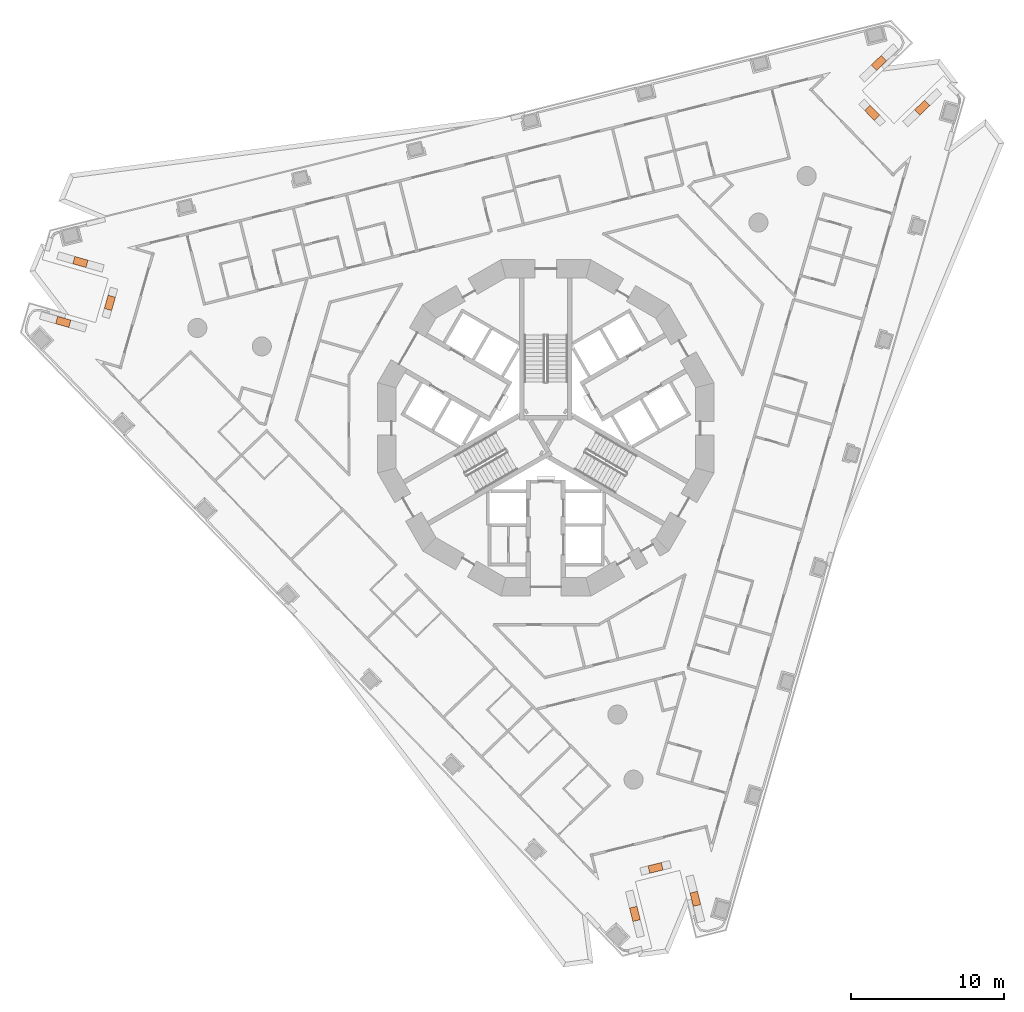
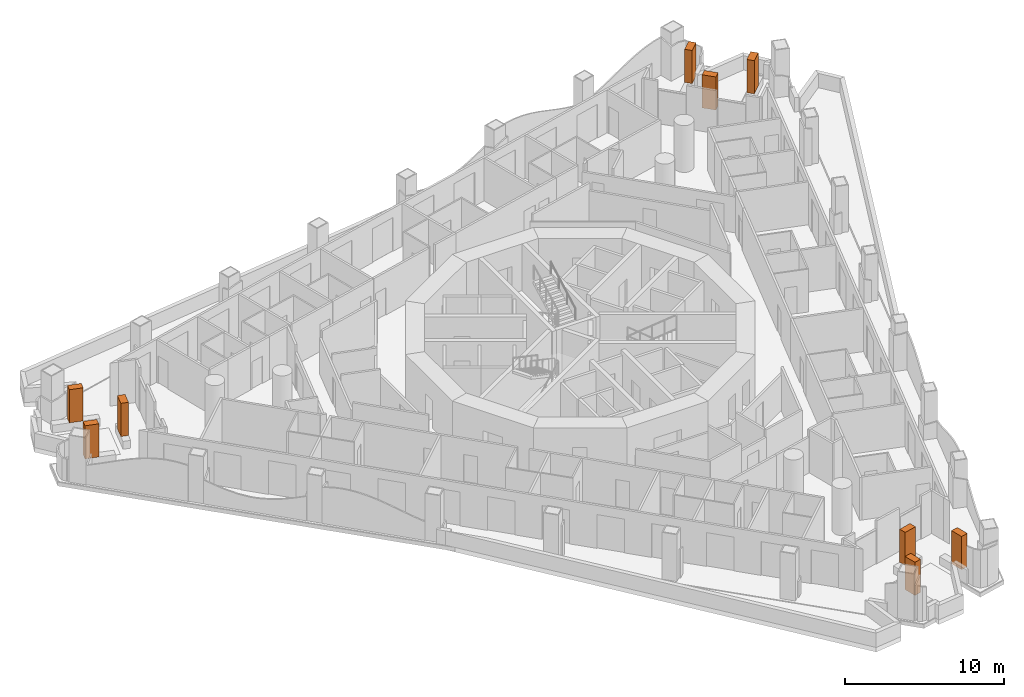
# One storey, part 19 of 19: 9 geographic elements.
"""IFC4 building model written with IfcOpenShell, lengths in metres."""

from ifc_helpers import new_model, si_unit, direction, frame, origin, origin_2d, place, context, subcontext, project, spatial, rectangle, extrude, element, save


model = new_model("IFC4")

# Units and contexts
model_context = context("Model", 3, precision=1e-05, world=origin(), true_north=direction((0.0, 1.0)))
body_context = subcontext(model_context, "Body", "Model", "MODEL_VIEW")
ifc_project = project(units=[si_unit("LENGTHUNIT", "METRE"), si_unit("AREAUNIT", "SQUARE_METRE"), si_unit("VOLUMEUNIT", "CUBIC_METRE"), si_unit("PLANEANGLEUNIT", "RADIAN"), si_unit("MASSUNIT", "GRAM", prefix="KILO")], contexts=[model_context])

# Site, building, storey
site_placement = place(None, origin())
site = spatial("IfcSite", under=ifc_project, at=site_placement, CompositionType="ELEMENT")
building_placement = place(site_placement, origin())
building = spatial("IfcBuilding", under=site, at=building_placement, Name="Trine Commons Tower", CompositionType="ELEMENT")
storey_placement = place(building_placement, frame((0.0, 0.0, 87.300048828125)))
storey = spatial("IfcBuildingStorey", under=building, at=storey_placement, Name="L21", CompositionType="ELEMENT", Elevation=87.300048828125)

# Geographic elements
for number, where, z_axis, x_axis, name in (
    (1, (48.400634765625, 69.438720703125, 0.60009765625), (0.0, 0.0, 1.0), (0.961260733777, -0.275640711252, 0.0), "Tree 1.1"),
    (2, (51.45263671875, 70.685791015625, 0.60009765625), (0.0, 0.0, 1.0), (0.275645744397, 0.961259290512, 0.0), "Tree 2.1"),
    (3, (49.525146484375, 73.360595703125, 0.60009765625), (0.0, 0.0, 1.0), (-0.961262658088, 0.275634000379, 0.0), "Tree 3.1"),
    (4, (101.808837890625, 86.396484375, 0.60009765625), (0.0, 0.0, 1.0), (-0.719332525854, -0.69466590333, 0.0), "Tree 4.1"),
    (5, (101.36279296875, 83.1298828125, 0.60009765625), (0.0, 0.0, 1.0), (0.694658370459, -0.719339800339, 0.0), "Tree 5.1"),
    (6, (104.64306640625, 83.461669921875, 0.60009765625), (0.0, 0.0, 1.0), (0.719362835687, 0.694634515866, 0.0), "Tree 6.1"),
    (7, (89.79052734375, 31.664794921875, 0.60009765625), (0.0, 0.0, 1.0), (-0.241908347692, 0.970299104048, 0.0), "Tree 7.1"),
    (8, (87.1845703125, 33.684326171875, 0.60009765625), (0.0, 0.0, 1.0), (-0.970297415186, -0.241915121652, 0.0), "Tree 8.1"),
    (9, (85.831787109375, 30.677734375, 0.60009765625), (0.0, 0.0, 1.0), (0.241908347692, -0.970299104048, 0.0), "Tree 9.1"),
):
    element("IfcGeographicElement", number, at=place(storey_placement, frame(where, z_axis=z_axis, x_axis=x_axis)), inside=storey, Name=name, ObjectType="TREE Tabebuia rosea", PredefinedType="USERDEFINED", context=body_context, shape_type="SweptSolid", body=[
        extrude(rectangle(XDim=0.89990234375, YDim=0.5, at=origin_2d()), origin(), (0.0, 0.0, 1.0), 2.550048828125),
    ])

save(model, "model.ifc")
